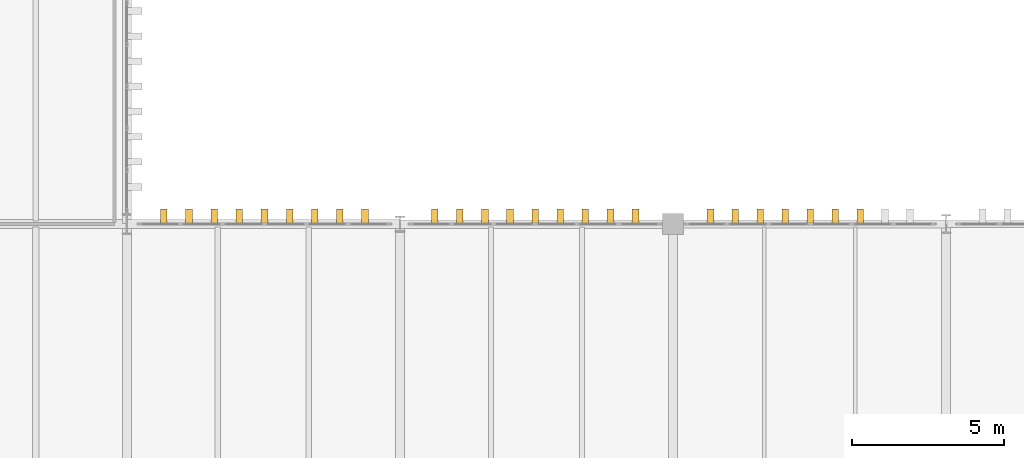
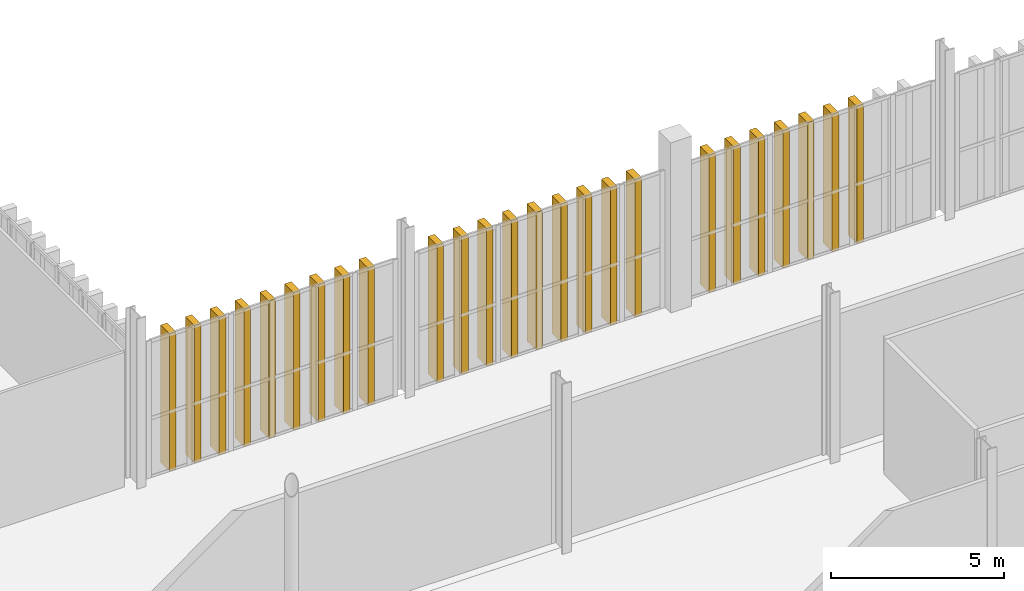
# One storey, part 226 of 237: 25 shading devices.
"""IFC4 building model written with IfcOpenShell, lengths in metres."""

from ifc_helpers import new_model, si_unit, direction, frame, origin, origin_2d, place, context, subcontext, project, spatial, rectangle, extrude, material, type_object, element, save


model = new_model("IFC4")

# Units and contexts
model_context = context("Model", 3, precision=1e-05, world=origin(), true_north=direction((0.0, 1.0)))
body_context = subcontext(model_context, "Body", "Model", "MODEL_VIEW")
ifc_project = project(units=[si_unit("LENGTHUNIT", "METRE"), si_unit("AREAUNIT", "SQUARE_METRE"), si_unit("VOLUMEUNIT", "CUBIC_METRE"), si_unit("PLANEANGLEUNIT", "RADIAN"), si_unit("MASSUNIT", "GRAM", prefix="KILO")], contexts=[model_context])

# Site, building, storey
site_placement = place(None, origin())
site = spatial("IfcSite", under=ifc_project, at=site_placement, CompositionType="ELEMENT")
building_placement = place(site_placement, origin())
building = spatial("IfcBuilding", under=site, at=building_placement, Name="Barlavento Convention Centre", CompositionType="ELEMENT")
storey_placement = place(building_placement, frame((0.0, 0.0, 12.0)))
storey = spatial("IfcBuildingStorey", under=building, at=storey_placement, Name="L02", CompositionType="ELEMENT", Elevation=12.0)

# Shading devices
ifc_material = material(Name="PVDF white extruded aluminium", Category="aluminium")
shading_device_type = type_object("IfcShadingDeviceType", Name="ARC-SHD-FIN-480", PredefinedType="USERDEFINED", material=ifc_material)
for number, where, z_axis, x_axis, name in (
    (1, (136.222412109375, 63.239990234375, 0.0), (0.0, 0.0, 1.0), (1.0, 0.0, 0.0), "White vertical solar shading fin VF01"),
    (2, (137.05078125, 63.239990234375, 0.0), (0.0, 0.0, 1.0), (1.0, 0.0, 0.0), "White vertical solar shading fin VF01"),
    (3, (137.879150390625, 63.239990234375, 0.0), (0.0, 0.0, 1.0), (1.0, 0.0, 0.0), "White vertical solar shading fin VF01"),
    (4, (138.70751953125, 63.239990234375, 0.0), (0.0, 0.0, 1.0), (1.0, 0.0, 0.0), "White vertical solar shading fin VF01"),
    (5, (139.535888671875, 63.239990234375, 0.0), (0.0, 0.0, 1.0), (1.0, 0.0, 0.0), "White vertical solar shading fin VF01"),
    (6, (140.364501953125, 63.239990234375, 0.0), (0.0, 0.0, 1.0), (1.0, 0.0, 0.0), "White vertical solar shading fin VF01"),
    (7, (141.19287109375, 63.239990234375, 0.0), (0.0, 0.0, 1.0), (1.0, 0.0, 0.0), "White vertical solar shading fin VF01"),
    (8, (142.021240234375, 63.239990234375, 0.0), (0.0, 0.0, 1.0), (1.0, 0.0, 0.0), "White vertical solar shading fin VF01"),
    (9, (142.849609375, 63.239990234375, 0.0), (0.0, 0.0, 1.0), (1.0, 0.0, 0.0), "White vertical solar shading fin VF01"),
    (10, (145.148681640625, 63.239990234375, 0.0), (0.0, 0.0, 1.0), (1.0, 0.0, 0.0), "White vertical solar shading fin VF01"),
    (11, (145.9755859375, 63.239990234375, 0.0), (0.0, 0.0, 1.0), (1.0, 0.0, 0.0), "White vertical solar shading fin VF01"),
    (12, (146.802490234375, 63.239990234375, 0.0), (0.0, 0.0, 1.0), (1.0, 0.0, 0.0), "White vertical solar shading fin VF01"),
    (13, (147.629150390625, 63.239990234375, 0.0), (0.0, 0.0, 1.0), (1.0, 0.0, 0.0), "White vertical solar shading fin VF01"),
    (14, (148.4560546875, 63.239990234375, 0.0), (0.0, 0.0, 1.0), (1.0, 0.0, 0.0), "White vertical solar shading fin VF01"),
    (15, (149.28271484375, 63.239990234375, 0.0), (0.0, 0.0, 1.0), (1.0, 0.0, 0.0), "White vertical solar shading fin VF01"),
    (16, (150.109619140625, 63.239990234375, 0.0), (0.0, 0.0, 1.0), (1.0, 0.0, 0.0), "White vertical solar shading fin VF01"),
    (17, (150.936279296875, 63.239990234375, 0.0), (0.0, 0.0, 1.0), (1.0, 0.0, 0.0), "White vertical solar shading fin VF01"),
    (18, (151.76318359375, 63.239990234375, 0.0), (0.0, 0.0, 1.0), (1.0, 0.0, 0.0), "White vertical solar shading fin VF01"),
    (19, (154.23193359375, 63.239990234375, 0.0), (0.0, 0.0, 1.0), (1.0, 0.0, 0.0), "White vertical solar shading fin VF01"),
    (20, (155.053955078125, 63.239990234375, 0.0), (0.0, 0.0, 1.0), (1.0, 0.0, 0.0), "White vertical solar shading fin VF01"),
    (21, (155.8759765625, 63.239990234375, 0.0), (0.0, 0.0, 1.0), (1.0, 0.0, 0.0), "White vertical solar shading fin VF01"),
    (22, (156.697998046875, 63.239990234375, 0.0), (0.0, 0.0, 1.0), (1.0, 0.0, 0.0), "White vertical solar shading fin VF01"),
    (23, (157.52001953125, 63.239990234375, 0.0), (0.0, 0.0, 1.0), (1.0, 0.0, 0.0), "White vertical solar shading fin VF01"),
    (24, (158.342041015625, 63.239990234375, 0.0), (0.0, 0.0, 1.0), (1.0, 0.0, 0.0), "White vertical solar shading fin VF01"),
    (25, (159.1640625, 63.239990234375, 0.0), (0.0, 0.0, 1.0), (1.0, 0.0, 0.0), "White vertical solar shading fin VF01"),
):
    element("IfcShadingDevice", number, at=place(storey_placement, frame(where, z_axis=z_axis, x_axis=x_axis)), inside=storey, type_object=shading_device_type, Name=name, ObjectType="FIN", PredefinedType="USERDEFINED", context=body_context, shape_type="SweptSolid", body=[
        extrude(rectangle(XDim=0.219970703125, YDim=0.52001953125, at=origin_2d()), origin(), (0.0, 0.0, 1.0), 4.85009765625),
    ])

save(model, "model.ifc")
